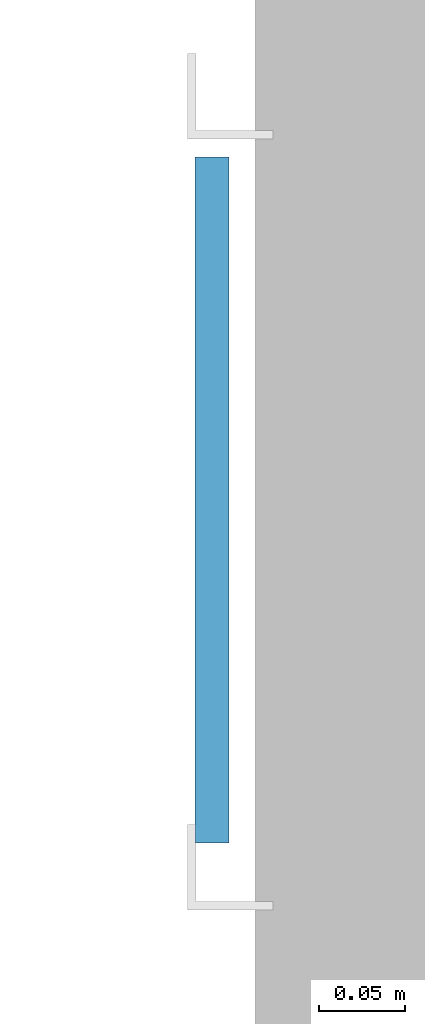
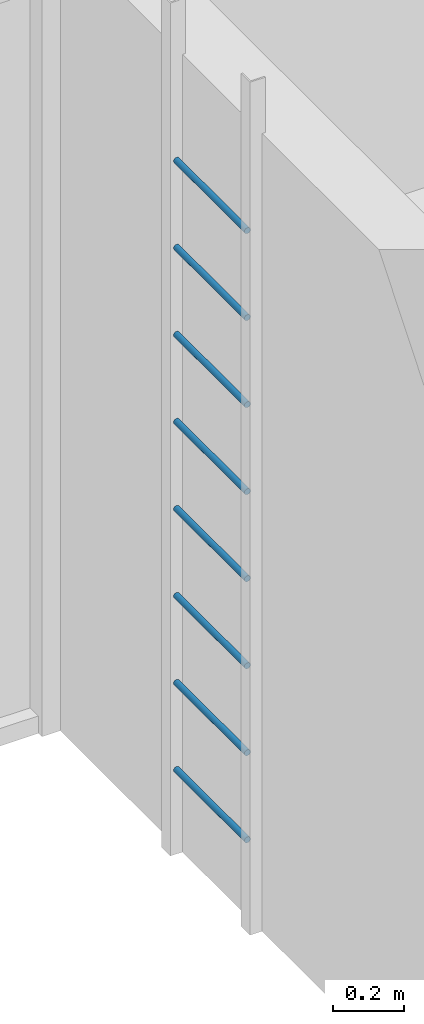
# One storey, part 20 of 55: 8 members.
"""IFC4 building model written with IfcOpenShell, lengths in metres."""

from ifc_helpers import new_model, si_unit, direction, frame, origin, origin_2d, place, context, subcontext, project, spatial, circle, extrude, material, material_profile, profile_set, type_object, element, save


model = new_model("IFC4")

# Units and contexts
model_context = context("Model", 3, precision=1e-05, world=origin(), true_north=direction((0.0, 1.0)))
body_context = subcontext(model_context, "Body", "Model", "MODEL_VIEW")
ifc_project = project(units=[si_unit("LENGTHUNIT", "METRE"), si_unit("AREAUNIT", "SQUARE_METRE"), si_unit("VOLUMEUNIT", "CUBIC_METRE"), si_unit("PLANEANGLEUNIT", "RADIAN"), si_unit("MASSUNIT", "GRAM", prefix="KILO")], contexts=[model_context])

# Site, building, storey
site_placement = place(None, origin())
site = spatial("IfcSite", under=ifc_project, at=site_placement, CompositionType="ELEMENT")
building_placement = place(site_placement, origin())
building = spatial("IfcBuilding", under=site, at=building_placement, Name="Ridgestep Commons", CompositionType="ELEMENT")
storey_placement = place(building_placement, frame((0.0, 0.0, 36.0)))
storey = spatial("IfcBuildingStorey", under=building, at=storey_placement, Name="L12", CompositionType="ELEMENT", Elevation=36.0)

# Members
ifc_material = material(Name="Structural steel S355JR", Category="steel")
ifc_material_profile = material_profile(ifc_material, circle(Radius=0.010009765625, at=origin_2d()), Name="Round bar 20")
ifc_profile_set = profile_set([ifc_material_profile], Name="Structural steel S355JR")
member_type = type_object("IfcMemberType", Name="Core ladder rung 20", PredefinedType="STRINGER", material=ifc_profile_set)
for number, where, z_axis, x_axis, name in (
    (1, (76.199951171875, 21.64990234375, 0.300048828125), (0.0, 1.0, 0.0), (-1.0, 0.0, 0.0), "Ladder rung A4C.1"),
    (2, (76.199951171875, 21.64990234375, 0.60009765625), (0.0, 1.0, 0.0), (-1.0, 0.0, 0.0), "Ladder rung A4C.2"),
    (3, (76.199951171875, 21.64990234375, 0.89990234375), (0.0, 1.0, 0.0), (-1.0, 0.0, 0.0), "Ladder rung A4C.3"),
    (4, (76.199951171875, 21.64990234375, 1.199951171875), (0.0, 1.0, 0.0), (-1.0, 0.0, 0.0), "Ladder rung A4C.4"),
    (5, (76.199951171875, 21.64990234375, 1.5), (0.0, 1.0, 0.0), (-1.0, 0.0, 0.0), "Ladder rung A4C.5"),
    (6, (76.199951171875, 21.64990234375, 1.800048828125), (0.0, 1.0, 0.0), (-1.0, 0.0, 0.0), "Ladder rung A4C.6"),
    (7, (76.199951171875, 21.64990234375, 2.10009765625), (0.0, 1.0, 0.0), (-1.0, 0.0, 0.0), "Ladder rung A4C.7"),
    (8, (76.199951171875, 21.64990234375, 2.39990234375), (0.0, 1.0, 0.0), (-1.0, 0.0, 0.0), "Ladder rung A4C.8"),
):
    element("IfcMember", number, at=place(storey_placement, frame(where, z_axis=z_axis, x_axis=x_axis)), inside=storey, type_object=member_type, Name=name, PredefinedType="STRINGER", context=body_context, shape_type="SweptSolid", body=[
        extrude(circle(Radius=0.010009765625, at=origin_2d()), origin(), (0.0, 0.0, 1.0), 0.400146484375),
    ])

save(model, "model.ifc")
